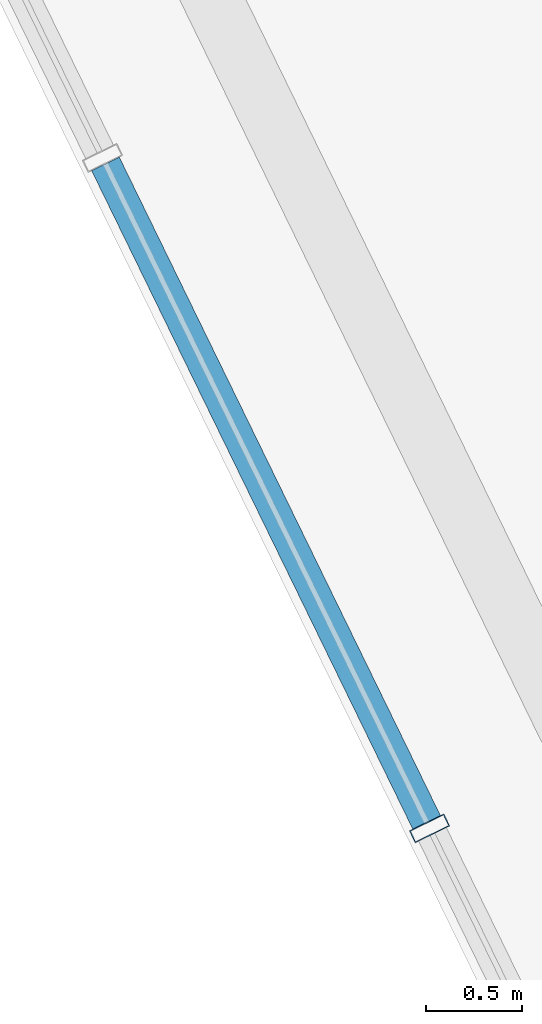
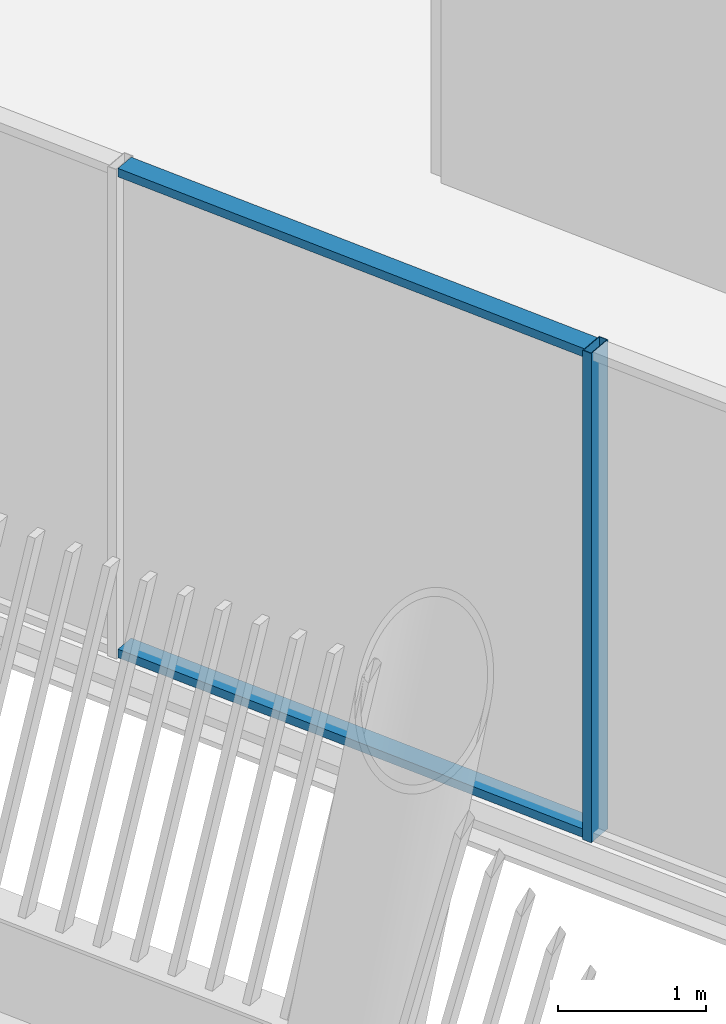
# One storey, part 6 of 31: 3 members, 1 element without a shape of its own.
"""IFC4 building model written with IfcOpenShell, lengths in metres."""

from ifc_helpers import new_model, si_unit, direction, frame, origin, origin_2d, place, context, subcontext, project, spatial, hollow_rectangle, extrude, material, layer, layer_set, material_profile, profile_set, type_object, element, aggregate, save


model = new_model("IFC4")

# Units and contexts
model_context = context("Model", 3, precision=1e-05, world=origin(), true_north=direction((0.0, 1.0)))
body_context = subcontext(model_context, "Body", "Model", "MODEL_VIEW")
ifc_project = project(units=[si_unit("LENGTHUNIT", "METRE"), si_unit("AREAUNIT", "SQUARE_METRE"), si_unit("VOLUMEUNIT", "CUBIC_METRE"), si_unit("PLANEANGLEUNIT", "RADIAN"), si_unit("MASSUNIT", "GRAM", prefix="KILO")], contexts=[model_context])

# Site, building, storey
site_placement = place(None, origin())
site = spatial("IfcSite", under=ifc_project, at=site_placement, CompositionType="ELEMENT")
building_placement = place(site_placement, origin())
building = spatial("IfcBuilding", under=site, at=building_placement, Name="Tarsis Ring Headquarters", CompositionType="ELEMENT")
storey_placement = place(building_placement, frame((0.0, 0.0, 390.199951171875)))
storey = spatial("IfcBuildingStorey", under=building, at=storey_placement, Name="L92", CompositionType="ELEMENT", Elevation=390.199951171875)

# Curtain wall, members
ifc_material_1 = material(Name="Aluminium curtain wall", Category="aluminium")
ifc_layer = layer(ifc_material_1, 0.199951171875)
ifc_layer_set = layer_set([ifc_layer], Name="Curtain wall executive tip")
curtain_wall_type = type_object("IfcCurtainWallType", Name="Curtain wall executive tip", PredefinedType="NOTDEFINED", material=ifc_layer_set)
curtain_wall_placement = place(storey_placement, origin())
curtain_wall = element("IfcCurtainWall", 1, at=curtain_wall_placement, inside=storey, type_object=curtain_wall_type, Name="Curtain wall L92-36", PredefinedType="NOTDEFINED")
ifc_material_2 = material(Name="Aluminium mullion", Category="aluminium")
ifc_material_profile_1 = material_profile(ifc_material_2, hollow_rectangle(XDim=0.199951171875, YDim=0.070068359375, WallThickness=0.0048828125, at=origin_2d()), Name="RHS 200x70x5")
ifc_profile_set_1 = profile_set([ifc_material_profile_1], Name="Aluminium mullion")
member_type_1 = type_object("IfcMemberType", Name="Curtain wall mullion executive tip RHS 200x70x5", PredefinedType="MULLION", material=ifc_profile_set_1)
member_1_placement = place(storey_placement, frame((-35.83935546875, -17.47998046875, 0.0), z_axis=(0.0, 0.0, 1.0), x_axis=(0.898794031686, 0.438371176751, 0.0)))
member_1 = element("IfcMember", 2, at=member_1_placement, type_object=member_type_1, Name="CW-E mullion 3", PredefinedType="MULLION", context=body_context, shape_type="SweptSolid", body=[
    extrude(hollow_rectangle(XDim=0.199951171875, YDim=0.070068359375, WallThickness=0.0048828125, at=origin_2d()), origin(), (0.0, 0.0, 1.0), 4.0400390625),
])
ifc_material_3 = material(Name="Aluminium transom", Category="aluminium")
ifc_material_profile_2 = material_profile(ifc_material_3, hollow_rectangle(XDim=0.159912109375, YDim=0.070068359375, WallThickness=0.0048828125, at=origin_2d()), Name="RHS 160x70x5")
ifc_profile_set_2 = profile_set([ifc_material_profile_2], Name="Aluminium transom")
member_type_2 = type_object("IfcMemberType", Name="Curtain wall transom executive tip RHS 160x70x5", PredefinedType="USERDEFINED", material=ifc_profile_set_2)
member_2_placement = place(storey_placement, frame((-37.522705078125, -14.028564453125, 0.03515625), z_axis=(0.438362951941, -0.898798043148, 0.0), x_axis=(0.898798043148, 0.438362951941, 0.0)))
member_2 = element("IfcMember", 3, at=member_2_placement, type_object=member_type_2, Name="CW-E transom 2.1", ObjectType="TRANSOM", PredefinedType="USERDEFINED", context=body_context, shape_type="SweptSolid", body=[
    extrude(hollow_rectangle(XDim=0.159912109375, YDim=0.070068359375, WallThickness=0.0048828125, at=origin_2d()), origin(), (0.0, 0.0, 1.0), 3.804931640625),
])
member_3_placement = place(storey_placement, frame((-37.522705078125, -14.028564453125, 4.005126953125), z_axis=(0.438362951941, -0.898798043148, 0.0), x_axis=(0.898798043148, 0.438362951941, 0.0)))
member_3 = element("IfcMember", 4, at=member_3_placement, type_object=member_type_2, Name="CW-E transom 2.2", ObjectType="TRANSOM", PredefinedType="USERDEFINED", context=body_context, shape_type="SweptSolid", body=[
    extrude(hollow_rectangle(XDim=0.159912109375, YDim=0.070068359375, WallThickness=0.0048828125, at=origin_2d()), origin(), (0.0, 0.0, 1.0), 3.804931640625),
])
aggregate(curtain_wall, [member_1, member_2, member_3])

save(model, "model.ifc")
